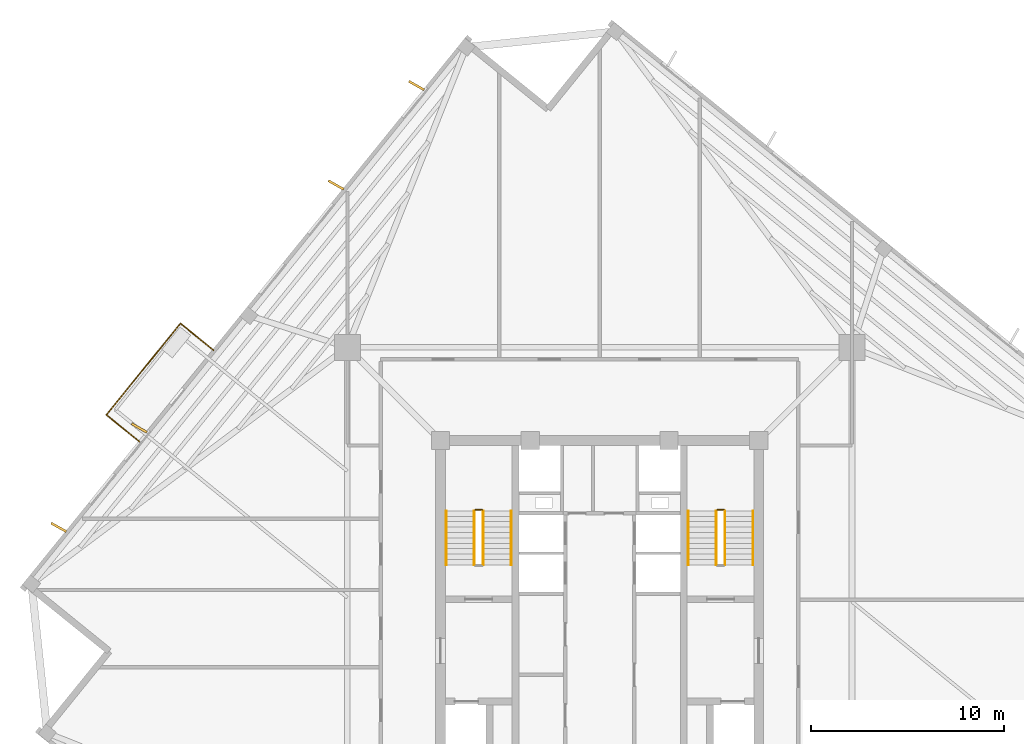
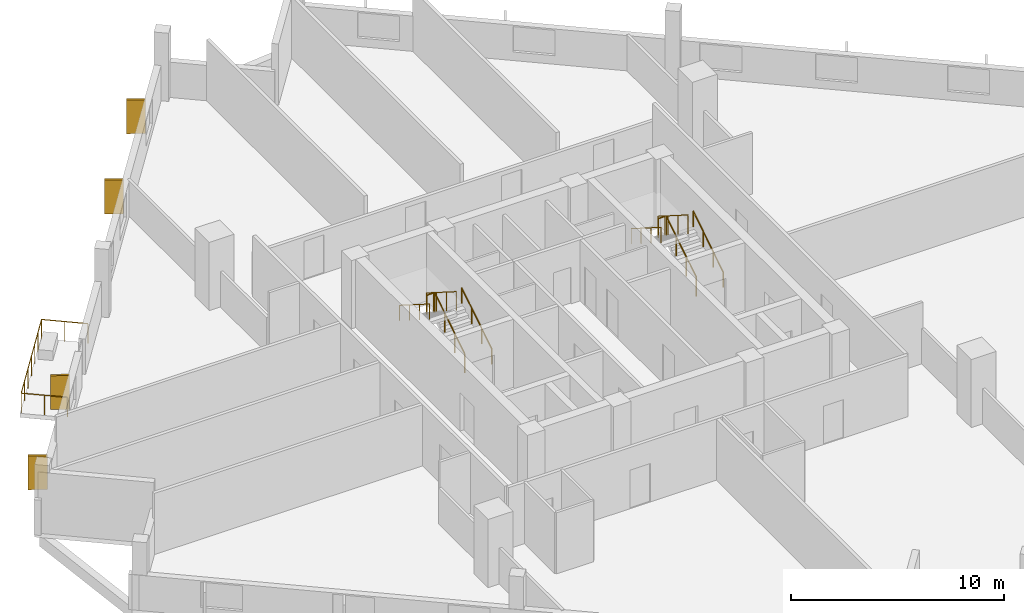
# One storey, part 8 of 9: 13 railings, 4 coverings.
"""IFC4 building model written with IfcOpenShell, lengths in metres."""

from ifc_helpers import new_model, si_unit, direction, frame, origin, origin_2d, place, context, subcontext, project, spatial, rectangle, circle, extrude, source, transform, mapped, material, layer, layer_set, type_object, element, save


model = new_model("IFC4")

# Units and contexts
model_context = context("Model", 3, precision=1e-05, world=origin(), true_north=direction((0.0, 1.0)))
body_context = subcontext(model_context, "Body", "Model", "MODEL_VIEW")
ifc_project = project(units=[si_unit("LENGTHUNIT", "METRE"), si_unit("AREAUNIT", "SQUARE_METRE"), si_unit("VOLUMEUNIT", "CUBIC_METRE"), si_unit("PLANEANGLEUNIT", "RADIAN"), si_unit("MASSUNIT", "GRAM", prefix="KILO"), si_unit("THERMODYNAMICTEMPERATUREUNIT", "KELVIN")], contexts=[model_context])

# Site, building, storey
site_placement = place(None, origin())
site = spatial("IfcSite", under=ifc_project, at=site_placement, CompositionType="ELEMENT")
building_placement = place(site_placement, origin())
building = spatial("IfcBuilding", under=site, at=building_placement, Name="Kosmvard Interchange Tower", CompositionType="ELEMENT")
storey_placement = place(building_placement, frame((0.0, 0.0, 256.300048828125)))
storey = spatial("IfcBuildingStorey", under=building, at=storey_placement, Name="L62", CompositionType="ELEMENT", Elevation=256.300048828125)

# Railings
ifc_material_1 = material(Name="Steel S355", Category="steel")
railing_type_1 = type_object("IfcRailingType", Name="Observation & Balcony Glass-Infill Balustrade 1150", PredefinedType="BALUSTRADE", material=ifc_material_1)
shared_shape_1 = source(origin(), body_context, "Body", "SweptSolid", [
    extrude(circle(Radius=0.02392578125, at=origin_2d()), frame((0.0, 0.0, 1.1259765625), z_axis=(0.777141488432, -0.629325914736, 0.0), x_axis=(0.629325914736, 0.777141488432, 0.0)), (0.0, 0.0, 1.0), 2.199951171875),
    extrude(circle(Radius=0.02099609375, at=origin_2d()), origin(), (0.0, 0.0, 1.0), 1.101806640625),
    extrude(circle(Radius=0.02099609375, at=origin_2d()), frame((0.85498046875, -0.6923828125, 0.0)), (0.0, 0.0, 1.0), 1.101806640625),
    extrude(circle(Radius=0.02099609375, at=origin_2d()), frame((1.709716796875, -1.384521484375, 0.0)), (0.0, 0.0, 1.0), 1.101806640625),
])
railing_1_placement = place(storey_placement, frame((-25.57177734375, 9.5771484375, 0.0)))
element("IfcRailing", 1, at=railing_1_placement, inside=storey, type_object=railing_type_1, Name="L62 Outdoor Terrace Guard BAL-L62-NE-C", PredefinedType="BALUSTRADE", context=body_context, shape_type="MappedRepresentation", body=[
    mapped(shared_shape_1, transform((0.0, 0.0, 0.0), scale=1.0)),
])
shared_shape_2 = source(origin(), body_context, "Body", "SweptSolid", [
    extrude(circle(Radius=0.02392578125, at=origin_2d()), frame((0.0, 0.0, 1.1259765625), z_axis=(-0.777141488432, 0.629325914736, 0.0), x_axis=(-0.629325914736, -0.777141488432, 0.0)), (0.0, 0.0, 1.0), 2.199951171875),
    extrude(circle(Radius=0.02099609375, at=origin_2d()), origin(), (0.0, 0.0, 1.0), 1.101806640625),
    extrude(circle(Radius=0.02099609375, at=origin_2d()), frame((-0.85498046875, 0.6923828125, 0.0)), (0.0, 0.0, 1.0), 1.101806640625),
    extrude(circle(Radius=0.02099609375, at=origin_2d()), frame((-1.709716796875, 1.384521484375, 0.0)), (0.0, 0.0, 1.0), 1.101806640625),
])
railing_2_placement = place(storey_placement, frame((-20.023193359375, 12.93310546875, 0.0)))
element("IfcRailing", 2, at=railing_2_placement, inside=storey, type_object=railing_type_1, Name="L62 Outdoor Terrace Guard BAL-L62-NE-A", PredefinedType="BALUSTRADE", context=body_context, shape_type="MappedRepresentation", body=[
    mapped(shared_shape_2, transform((0.0, 0.0, 0.0), scale=1.0)),
])
shared_shape_3 = source(origin(), body_context, "Body", "SweptSolid", [
    extrude(circle(Radius=0.02392578125, at=origin_2d()), frame((0.0, 0.0, 1.1259765625), z_axis=(-0.629330626282, -0.777137673017, 0.0), x_axis=(0.777137673017, -0.629330626282, 0.0)), (0.0, 0.0, 1.0), 6.099853515625),
    extrude(circle(Radius=0.02099609375, at=origin_2d()), origin(), (0.0, 0.0, 1.0), 1.101806640625),
    extrude(circle(Radius=0.02099609375, at=origin_2d()), frame((-0.639892578125, -0.7900390625, 0.0)), (0.0, 0.0, 1.0), 1.101806640625),
    extrude(circle(Radius=0.02099609375, at=origin_2d()), frame((-1.279541015625, -1.580078125, 0.0)), (0.0, 0.0, 1.0), 1.101806640625),
    extrude(circle(Radius=0.02099609375, at=origin_2d()), frame((-1.91943359375, -2.3701171875, 0.0)), (0.0, 0.0, 1.0), 1.101806640625),
    extrude(circle(Radius=0.02099609375, at=origin_2d()), frame((-2.559326171875, -3.160400390625, 0.0)), (0.0, 0.0, 1.0), 1.101806640625),
    extrude(circle(Radius=0.02099609375, at=origin_2d()), frame((-3.198974609375, -3.950439453125, 0.0)), (0.0, 0.0, 1.0), 1.101806640625),
    extrude(circle(Radius=0.02099609375, at=origin_2d()), frame((-3.8388671875, -4.740478515625, 0.0)), (0.0, 0.0, 1.0), 1.101806640625),
])
railing_3_placement = place(storey_placement, frame((-21.73291015625, 14.317626953125, 0.0)))
element("IfcRailing", 3, at=railing_3_placement, inside=storey, type_object=railing_type_1, Name="L62 Outdoor Terrace Guard BAL-L62-NE-B", PredefinedType="BALUSTRADE", context=body_context, shape_type="MappedRepresentation", body=[
    mapped(shared_shape_3, transform((0.0, 0.0, 0.0), scale=1.0)),
])

# Coverings
ifc_material_2 = material(Name="Architectural anodised aluminium", Category="aluminium")
ifc_layer = layer(ifc_material_2, 0.1201171875, Name="Architectural anodised aluminium")
ifc_layer_set = layer_set([ifc_layer], Name="Architectural anodised aluminium")
covering_type = type_object("IfcCoveringType", Name="Rotating Vertical Sun-Breaker Fin 900x120 Aluminium", PredefinedType="CLADDING", material=ifc_layer_set)
shared_shape_4 = source(origin(), body_context, "Body", "SweptSolid", [
    extrude(rectangle(XDim=0.89990234375, YDim=0.1201171875, at=origin_2d()), origin(), (0.0, 0.0, 1.0), 1.93994140625),
])
for number, where, z_axis, x_axis, name in (
    (4, (-9.494384765625, 26.650146484375, 0.0400390625), (0.0, 0.0, 1.0), (-0.871983845799, 0.489534649095, 0.0), "L62 Rotating Vertical Sun-Breaker Fin 09"),
    (5, (-13.66748046875, 21.49658203125, 0.0400390625), (0.0, 0.0, 1.0), (-0.871983845799, 0.489534649095, 0.0), "L62 Rotating Vertical Sun-Breaker Fin 10"),
    (6, (-23.86865234375, 8.8994140625, 0.0400390625), (0.0, 0.0, 1.0), (-0.871983845799, 0.489534649095, 0.0), "L62 Rotating Vertical Sun-Breaker Fin 11"),
    (7, (-28.041748046875, 3.74609375, 0.0400390625), (0.0, 0.0, 1.0), (-0.871983845799, 0.489534649095, 0.0), "L62 Rotating Vertical Sun-Breaker Fin 12"),
):
    element("IfcCovering", number, at=place(storey_placement, frame(where, z_axis=z_axis, x_axis=x_axis)), inside=storey, type_object=covering_type, Name=name, PredefinedType="CLADDING", context=body_context, shape_type="MappedRepresentation", body=[
        mapped(shared_shape_4, transform((0.0, 0.0, 0.0), scale=1.0)),
    ])

# Railings
railing_type_2 = type_object("IfcRailingType", Name="Stair & Terrace Safety Guardrail 1100 Steel", PredefinedType="GUARDRAIL", material=ifc_material_1)
shared_shape_5 = source(origin(), body_context, "Body", "SweptSolid", [
    extrude(circle(Radius=0.02392578125, at=origin_2d()), frame((0.0, 0.0, 1.076171875), z_axis=(-1.0, 0.0, 0.0), x_axis=(0.0, -1.0, 0.0)), (0.0, 0.0, 1.0), 0.35986328125),
    extrude(circle(Radius=0.02099609375, at=origin_2d()), origin(), (0.0, 0.0, 1.0), 1.052001953125),
    extrude(circle(Radius=0.02099609375, at=origin_2d()), frame((-0.35986328125, 0.0, 0.0)), (0.0, 0.0, 1.0), 1.052001953125),
])
for number, where, name in (
    (8, (-6.090087890625, 4.64990234375, 1.949951171875), "L62 ST-1 stair guard 2"),
    (9, (6.449951171875, 4.64990234375, 1.949951171875), "L62 ST-2 stair guard 2"),
):
    element("IfcRailing", number, at=place(storey_placement, frame(where)), inside=storey, type_object=railing_type_2, Name=name, PredefinedType="GUARDRAIL", context=body_context, shape_type="MappedRepresentation", body=[
        mapped(shared_shape_5, transform((0.0, 0.0, 0.0), scale=1.0)),
    ])
shared_shape_6 = source(origin(), body_context, "Body", "SweptSolid", [
    extrude(circle(Radius=0.02392578125, at=origin_2d()), frame((0.0, 0.0, 1.076171875), z_axis=(0.0, 0.844908973607, 0.534910110503), x_axis=(-1.0, 0.0, 0.0)), (0.0, 0.0, 1.0), 3.31396484375),
    extrude(circle(Radius=0.02099609375, at=origin_2d()), origin(), (0.0, 0.0, 1.0), 1.052001953125),
    extrude(circle(Radius=0.02099609375, at=origin_2d()), frame((0.0, 0.933349609375, 0.5908203125)), (0.0, 0.0, 1.0), 1.052001953125),
    extrude(circle(Radius=0.02099609375, at=origin_2d()), frame((0.0, 1.86669921875, 1.181884765625)), (0.0, 0.0, 1.0), 1.052001953125),
    extrude(circle(Radius=0.02099609375, at=origin_2d()), frame((0.0, 2.800048828125, 1.772705078125)), (0.0, 0.0, 1.0), 1.052001953125),
])
for number, where, name in (
    (10, (-6.0400390625, 1.800048828125, 0.17724609375), "L62 ST-1 stair guard 1"),
    (11, (6.5, 1.800048828125, 0.17724609375), "L62 ST-2 stair guard 1"),
):
    element("IfcRailing", number, at=place(storey_placement, frame(where)), inside=storey, type_object=railing_type_2, Name=name, PredefinedType="GUARDRAIL", context=body_context, shape_type="MappedRepresentation", body=[
        mapped(shared_shape_6, transform((0.0, 0.0, 0.0), scale=1.0)),
    ])
shared_shape_7 = source(origin(), body_context, "Body", "SweptSolid", [
    extrude(circle(Radius=0.02392578125, at=origin_2d()), frame((0.0, 0.0, 1.076171875), z_axis=(0.0, -0.844908973607, 0.534910110503), x_axis=(1.0, 0.0, 0.0)), (0.0, 0.0, 1.0), 3.31396484375),
    extrude(circle(Radius=0.02099609375, at=origin_2d()), origin(), (0.0, 0.0, 1.0), 1.052001953125),
    extrude(circle(Radius=0.02099609375, at=origin_2d()), frame((0.0, -0.933349609375, 0.5908203125)), (0.0, 0.0, 1.0), 1.052001953125),
    extrude(circle(Radius=0.02099609375, at=origin_2d()), frame((0.0, -1.86669921875, 1.181884765625)), (0.0, 0.0, 1.0), 1.052001953125),
    extrude(circle(Radius=0.02099609375, at=origin_2d()), frame((0.0, -2.800048828125, 1.772705078125)), (0.0, 0.0, 1.0), 1.052001953125),
])
for number, where, name in (
    (12, (-6.5, 4.60009765625, 2.127197265625), "L62 ST-1 stair guard 3"),
    (13, (6.0400390625, 4.60009765625, 2.127197265625), "L62 ST-2 stair guard 3"),
):
    element("IfcRailing", number, at=place(storey_placement, frame(where)), inside=storey, type_object=railing_type_2, Name=name, PredefinedType="GUARDRAIL", context=body_context, shape_type="MappedRepresentation", body=[
        mapped(shared_shape_7, transform((0.0, 0.0, 0.0), scale=1.0)),
    ])
railing_type_3 = type_object("IfcRailingType", Name="Wall-Mounted Stair Handrail 900 Steel", PredefinedType="HANDRAIL", material=ifc_material_1)
shared_shape_8 = source(origin(), body_context, "Body", "SweptSolid", [
    extrude(circle(Radius=0.02392578125, at=origin_2d()), frame((0.0, 0.0, 0.8759765625), z_axis=(0.0, 0.844908973607, 0.534910110503), x_axis=(-1.0, 0.0, 0.0)), (0.0, 0.0, 1.0), 3.31396484375),
    extrude(circle(Radius=0.02099609375, at=origin_2d()), origin(), (0.0, 0.0, 1.0), 0.851806640625),
    extrude(circle(Radius=0.02099609375, at=origin_2d()), frame((0.0, 0.933349609375, 0.5908203125)), (0.0, 0.0, 1.0), 0.851806640625),
    extrude(circle(Radius=0.02099609375, at=origin_2d()), frame((0.0, 1.86669921875, 1.181884765625)), (0.0, 0.0, 1.0), 0.851806640625),
    extrude(circle(Radius=0.02099609375, at=origin_2d()), frame((0.0, 2.800048828125, 1.772705078125)), (0.0, 0.0, 1.0), 0.851806640625),
])
for number, where, name in (
    (14, (-4.590087890625, 1.800048828125, 0.17724609375), "L62 ST-1 stair handrail 1"),
    (15, (7.949951171875, 1.800048828125, 0.17724609375), "L62 ST-2 stair handrail 1"),
):
    element("IfcRailing", number, at=place(storey_placement, frame(where)), inside=storey, type_object=railing_type_3, Name=name, PredefinedType="HANDRAIL", context=body_context, shape_type="MappedRepresentation", body=[
        mapped(shared_shape_8, transform((0.0, 0.0, 0.0), scale=1.0)),
    ])
shared_shape_9 = source(origin(), body_context, "Body", "SweptSolid", [
    extrude(circle(Radius=0.02392578125, at=origin_2d()), frame((0.0, 0.0, 0.8759765625), z_axis=(0.0, -0.844908973607, 0.534910110503), x_axis=(1.0, 0.0, 0.0)), (0.0, 0.0, 1.0), 3.31396484375),
    extrude(circle(Radius=0.02099609375, at=origin_2d()), origin(), (0.0, 0.0, 1.0), 0.851806640625),
    extrude(circle(Radius=0.02099609375, at=origin_2d()), frame((0.0, -0.933349609375, 0.5908203125)), (0.0, 0.0, 1.0), 0.851806640625),
    extrude(circle(Radius=0.02099609375, at=origin_2d()), frame((0.0, -1.86669921875, 1.181884765625)), (0.0, 0.0, 1.0), 0.851806640625),
    extrude(circle(Radius=0.02099609375, at=origin_2d()), frame((0.0, -2.800048828125, 1.772705078125)), (0.0, 0.0, 1.0), 0.851806640625),
])
for number, where, name in (
    (16, (-7.949951171875, 4.60009765625, 2.127197265625), "L62 ST-1 stair handrail 2"),
    (17, (4.590087890625, 4.60009765625, 2.127197265625), "L62 ST-2 stair handrail 2"),
):
    element("IfcRailing", number, at=place(storey_placement, frame(where)), inside=storey, type_object=railing_type_3, Name=name, PredefinedType="HANDRAIL", context=body_context, shape_type="MappedRepresentation", body=[
        mapped(shared_shape_9, transform((0.0, 0.0, 0.0), scale=1.0)),
    ])

save(model, "model.ifc")
